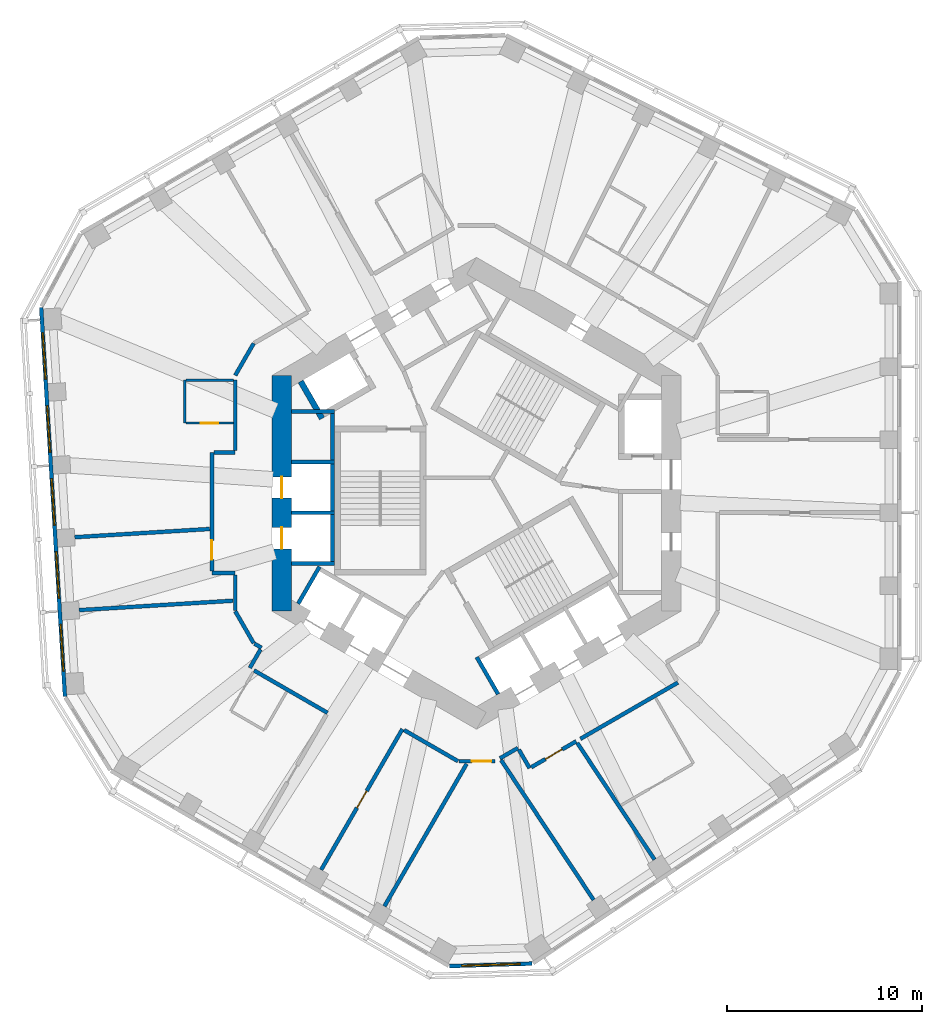
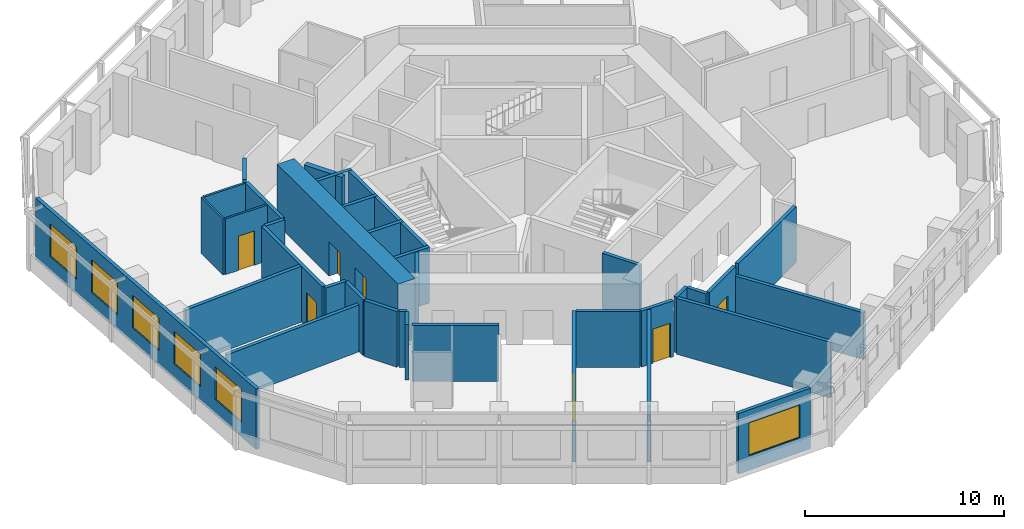
# One storey, part 4 of 11: 36 walls, 7 doors, 6 windows, 13 openings.
"""IFC4 building model written with IfcOpenShell, lengths in metres."""

from ifc_helpers import new_model, si_unit, direction, frame, frame_2d, origin, place, context, subcontext, project, spatial, rectangle, extrude, material, layer, layer_set, type_object, element, fill, save


model = new_model("IFC4")

# Units and contexts
model_context = context("Model", 3, precision=1e-05, world=origin(), true_north=direction((0.0, 1.0)))
body_context = subcontext(model_context, "Body", "Model", "MODEL_VIEW")
ifc_project = project(units=[si_unit("LENGTHUNIT", "METRE"), si_unit("AREAUNIT", "SQUARE_METRE"), si_unit("VOLUMEUNIT", "CUBIC_METRE"), si_unit("PLANEANGLEUNIT", "RADIAN"), si_unit("MASSUNIT", "GRAM", prefix="KILO")], contexts=[model_context])

# Site, building, storey
site_placement = place(None, origin())
site = spatial("IfcSite", under=ifc_project, at=site_placement, CompositionType="ELEMENT")
building_placement = place(site_placement, origin())
building = spatial("IfcBuilding", under=site, at=building_placement, Name="Vanh Sen Convention Tower", CompositionType="ELEMENT")
storey_placement = place(building_placement, frame((0.0, 0.0, 183.60009765625)))
storey = spatial("IfcBuildingStorey", under=building, at=storey_placement, Name="L45", CompositionType="ELEMENT", Elevation=183.60009765625)

# Walls
ifc_material_1 = material(Name="Moisture-resistant gypsum board on steel studs", Category="steel")
ifc_layer_1 = layer(ifc_material_1, 0.1201171875)
ifc_layer_set_1 = layer_set([ifc_layer_1], Name="Moisture-resistant gypsum board on steel studs")
wall_type_1 = type_object("IfcWallType", Name="Bathroom partition 120", PredefinedType="PARTITIONING", material=ifc_layer_set_1)
wall_1_placement = place(storey_placement, frame((-15.0, 3.6123046875, 0.0), z_axis=(0.0, 0.0, 1.0), x_axis=(0.0, 1.0, 0.0)))
element("IfcWall", 1, at=wall_1_placement, inside=storey, type_object=wall_type_1, Name="Bathroom partition 120", PredefinedType="PARTITIONING", context=body_context, shape_type="SweptSolid", body=[
    extrude(rectangle(XDim=2.199951171875, YDim=0.1201171875, at=frame_2d((1.10009765625, 0.0))), origin(), (0.0, 0.0, 1.0), 3.419921875),
])
wall_2_placement = place(storey_placement, frame((-14.93994140625, 5.812255859375, 0.0), z_axis=(0.0, 0.0, 1.0), x_axis=(1.0, 0.0, 0.0)))
element("IfcWall", 2, at=wall_2_placement, inside=storey, type_object=wall_type_1, Name="Bathroom partition 120", PredefinedType="PARTITIONING", context=body_context, shape_type="SweptSolid", body=[
    extrude(rectangle(XDim=2.43994140625, YDim=0.1201171875, at=frame_2d((1.219970703125, 0.0))), origin(), (0.0, 0.0, 1.0), 3.419921875),
])

# Wall, opening, door
wall_3_placement = place(storey_placement, frame((-12.5, 3.6123046875, 0.0), z_axis=(0.0, 0.0, 1.0), x_axis=(-1.0, 0.0, 0.0)))
wall_3 = element("IfcWall", 3, at=wall_3_placement, inside=storey, type_object=wall_type_1, Name="Bathroom partition 120", PredefinedType="PARTITIONING", context=body_context, shape_type="SweptSolid", body=[
    extrude(rectangle(XDim=2.43994140625, YDim=0.1201171875, at=frame_2d((1.219970703125, 0.0))), origin(), (0.0, 0.0, 1.0), 3.419921875),
])
opening_1_placement = place(wall_3_placement, frame((0.77001953125, 0.0, 0.0)))
opening_1 = element("IfcOpeningElement", 4, at=opening_1_placement, cuts=wall_3, Name="Opening D44110", PredefinedType="OPENING", context=body_context, shape_type="SweptSolid", body=[
    extrude(rectangle(XDim=0.89990234375, YDim=2.10009765625, at=frame_2d((0.449951171875, 1.050048828125))), frame((0.0, 0.070068359375, 0.0), z_axis=(0.0, -1.0, 0.0), x_axis=(1.0, 0.0, 0.0)), (0.0, 0.0, 1.0), 0.14013671875),
])
ifc_material_2 = material(Name="Laminate door in steel frame", Category="steel")
door_type_1 = type_object("IfcDoorType", Name="Room internal door 900", OperationType="SINGLE_SWING_LEFT", PredefinedType="DOOR", material=ifc_material_2)
door_1_placement = place(opening_1_placement, origin())
door_1 = element("IfcDoor", 5, at=door_1_placement, inside=storey, type_object=door_type_1, Name="Internal room door D44110", OperationType="SINGLE_SWING_LEFT", OverallHeight=2.10009765625, OverallWidth=0.89990234375, PredefinedType="DOOR", context=body_context, shape_type="SweptSolid", body=[
    extrude(rectangle(XDim=0.89990234375, YDim=2.10009765625, at=frame_2d((0.449951171875, 1.050048828125))), frame((0.0, 0.02490234375, 0.0), z_axis=(0.0, -1.0, 0.0), x_axis=(1.0, 0.0, 0.0)), (0.0, 0.0, 1.0), 0.050048828125),
])
fill(opening_1, door_1)

# Wall, openings, doors
ifc_material_3 = material(Name="Concrete C80/95", Category="concrete")
ifc_layer_2 = layer(ifc_material_3, 1.0)
ifc_layer_set_2 = layer_set([ifc_layer_2], Name="Concrete C80/95")
wall_type_2 = type_object("IfcWallType", Name="Core outer wall 1000 C80/95", PredefinedType="SHEAR", material=ifc_layer_set_2)
wall_4_placement = place(storey_placement, frame((-10.0, 6.062255859375, 0.0), z_axis=(0.0, 0.0, 1.0), x_axis=(0.0, -1.0, 0.0)))
wall_4 = element("IfcWall", 6, at=wall_4_placement, inside=storey, type_object=wall_type_2, Name="Core wall face W L45", PredefinedType="SHEAR", context=body_context, shape_type="SweptSolid", body=[
    extrude(rectangle(XDim=12.12451171875, YDim=1.0, at=frame_2d((6.062255859375, 0.0))), origin(), (0.0, 0.0, 1.0), 3.699951171875),
])
opening_2_placement = place(wall_4_placement, frame((5.212158203125, 0.0, 0.0)))
opening_2 = element("IfcOpeningElement", 7, at=opening_2_placement, cuts=wall_4, Name="Opening LD-HR1", PredefinedType="OPENING", context=body_context, shape_type="SweptSolid", body=[
    extrude(rectangle(XDim=1.10009765625, YDim=2.10009765625, at=frame_2d((0.550048828125, 1.050048828125))), frame((0.0, 0.510009765625, 0.0), z_axis=(0.0, -1.0, 0.0), x_axis=(1.0, 0.0, 0.0)), (0.0, 0.0, 1.0), 1.02001953125),
])
opening_3_placement = place(wall_4_placement, frame((7.812255859375, 0.0, 0.0)))
opening_3 = element("IfcOpeningElement", 8, at=opening_3_placement, cuts=wall_4, Name="Opening LD-HR2", PredefinedType="OPENING", context=body_context, shape_type="SweptSolid", body=[
    extrude(rectangle(XDim=1.10009765625, YDim=2.10009765625, at=frame_2d((0.550048828125, 1.050048828125))), frame((0.0, 0.510009765625, 0.0), z_axis=(0.0, -1.0, 0.0), x_axis=(1.0, 0.0, 0.0)), (0.0, 0.0, 1.0), 1.02001953125),
])
ifc_material_4 = material(Name="Stainless steel", Category="steel")
door_type_2 = type_object("IfcDoorType", Name="Lift landing door 1100", OperationType="DOUBLE_DOOR_SLIDING", PredefinedType="DOOR", material=ifc_material_4)
door_2_placement = place(opening_2_placement, origin())
door_2 = element("IfcDoor", 9, at=door_2_placement, inside=storey, type_object=door_type_2, Name="Lift HR1 landing door LD-HR1", OperationType="DOUBLE_DOOR_SLIDING", OverallHeight=2.10009765625, OverallWidth=1.10009765625, PredefinedType="DOOR", context=body_context, shape_type="SweptSolid", body=[
    extrude(rectangle(XDim=1.10009765625, YDim=2.10009765625, at=frame_2d((0.550048828125, 1.050048828125))), frame((0.0, 0.02490234375, 0.0), z_axis=(0.0, -1.0, 0.0), x_axis=(1.0, 0.0, 0.0)), (0.0, 0.0, 1.0), 0.050048828125),
])
fill(opening_2, door_2)
door_3_placement = place(opening_3_placement, origin())
door_3 = element("IfcDoor", 10, at=door_3_placement, inside=storey, type_object=door_type_2, Name="Lift HR2 landing door LD-HR2", OperationType="DOUBLE_DOOR_SLIDING", OverallHeight=2.10009765625, OverallWidth=1.10009765625, PredefinedType="DOOR", context=body_context, shape_type="SweptSolid", body=[
    extrude(rectangle(XDim=1.10009765625, YDim=2.10009765625, at=frame_2d((0.550048828125, 1.050048828125))), frame((0.0, 0.02490234375, 0.0), z_axis=(0.0, -1.0, 0.0), x_axis=(1.0, 0.0, 0.0)), (0.0, 0.0, 1.0), 0.050048828125),
])
fill(opening_3, door_3)

# Wall
ifc_material_5 = material(Name="Gypsum board on steel studs with mineral wool", Category="steel")
ifc_layer_3 = layer(ifc_material_5, 0.199951171875)
ifc_layer_set_3 = layer_set([ifc_layer_3], Name="Gypsum board on steel studs with mineral wool")
wall_type_3 = type_object("IfcWallType", Name="Corridor partition wall 200", PredefinedType="PARTITIONING", material=ifc_layer_set_3)
wall_5_placement = place(storey_placement, frame((-13.60107421875, -4.10107421875, 0.0), z_axis=(0.0, 0.0, 1.0), x_axis=(1.0, 0.0, 0.0)))
element("IfcWall", 11, at=wall_5_placement, inside=storey, type_object=wall_type_3, Name="Corridor partition wall 200", PredefinedType="PARTITIONING", context=body_context, shape_type="SweptSolid", body=[
    extrude(rectangle(XDim=1.201171875, YDim=0.199951171875, at=frame_2d((0.6005859375, 0.0))), origin(), (0.0, 0.0, 1.0), 3.419921875),
])

# Wall, opening, door
wall_6_placement = place(storey_placement, frame((-13.60107421875, 2.10107421875, 0.0), z_axis=(0.0, 0.0, 1.0), x_axis=(0.0, -1.0, 0.0)))
wall_6 = element("IfcWall", 12, at=wall_6_placement, inside=storey, type_object=wall_type_3, Name="Corridor partition wall 200", PredefinedType="PARTITIONING", context=body_context, shape_type="SweptSolid", body=[
    extrude(rectangle(XDim=6.10205078125, YDim=0.199951171875, at=frame_2d((3.051025390625, 0.0))), origin(), (0.0, 0.0, 1.0), 3.419921875),
])
opening_4_placement = place(wall_6_placement, frame((4.514892578125, 0.0, 0.0)))
opening_4 = element("IfcOpeningElement", 13, at=opening_4_placement, cuts=wall_6, Name="Opening D44111", PredefinedType="OPENING", context=body_context, shape_type="SweptSolid", body=[
    extrude(rectangle(XDim=1.0, YDim=2.10009765625, at=frame_2d((0.5, 1.050048828125))), frame((0.0, 0.10986328125, 0.0), z_axis=(0.0, -1.0, 0.0), x_axis=(1.0, 0.0, 0.0)), (0.0, 0.0, 1.0), 0.219970703125),
])
ifc_material_6 = material(Name="Glazed fire door in steel frame", Category="steel")
door_type_3 = type_object("IfcDoorType", Name="Tenant entrance door 1000", OperationType="SINGLE_SWING_LEFT", PredefinedType="DOOR", material=ifc_material_6)
door_4_placement = place(opening_4_placement, origin())
door_4 = element("IfcDoor", 14, at=door_4_placement, inside=storey, type_object=door_type_3, Name="Tenant suite entrance door D44111", OperationType="SINGLE_SWING_LEFT", OverallHeight=2.10009765625, OverallWidth=1.0, PredefinedType="DOOR", context=body_context, shape_type="SweptSolid", body=[
    extrude(rectangle(XDim=1.0, YDim=2.10009765625, at=frame_2d((0.5, 1.050048828125))), frame((0.0, 0.02490234375, 0.0), z_axis=(0.0, -1.0, 0.0), x_axis=(1.0, 0.0, 0.0)), (0.0, 0.0, 1.0), 0.050048828125),
])
fill(opening_4, door_4)

# Walls
wall_7_placement = place(storey_placement, frame((-12.39990234375, -6.062255859375, 0.0), z_axis=(0.0, 0.0, 1.0), x_axis=(0.500022797313, -0.86601224135, 0.0)))
element("IfcWall", 15, at=wall_7_placement, inside=storey, type_object=wall_type_3, Name="Corridor partition wall 200", PredefinedType="PARTITIONING", context=body_context, shape_type="SweptSolid", body=[
    extrude(rectangle(XDim=1.89990234375, YDim=0.199951171875, at=frame_2d((0.949951171875, 0.0))), origin(), (0.0, 0.0, 1.0), 3.419921875),
])
wall_8_placement = place(storey_placement, frame((-12.39990234375, -4.200927734375, 0.0), z_axis=(0.0, 0.0, 1.0), x_axis=(0.0, -1.0, 0.0)))
element("IfcWall", 16, at=wall_8_placement, inside=storey, type_object=wall_type_3, Name="Corridor partition wall 200", PredefinedType="PARTITIONING", context=body_context, shape_type="SweptSolid", body=[
    extrude(rectangle(XDim=1.8212890625, YDim=0.199951171875, at=frame_2d((0.91064453125, 0.0))), origin(), (0.0, 0.0, 1.0), 3.419921875),
])
wall_9_placement = place(storey_placement, frame((-12.39990234375, 2.10107421875, 0.0), z_axis=(0.0, 0.0, 1.0), x_axis=(-1.0, 0.0, 0.0)))
element("IfcWall", 17, at=wall_9_placement, inside=storey, type_object=wall_type_3, Name="Corridor partition wall 200", PredefinedType="PARTITIONING", context=body_context, shape_type="SweptSolid", body=[
    extrude(rectangle(XDim=1.10107421875, YDim=0.199951171875, at=frame_2d((0.550537109375, 0.0))), origin(), (0.0, 0.0, 1.0), 3.419921875),
])
wall_10_placement = place(storey_placement, frame((-12.39990234375, 5.812255859375, 0.0), z_axis=(0.0, 0.0, 1.0), x_axis=(0.0, -1.0, 0.0)))
element("IfcWall", 18, at=wall_10_placement, inside=storey, type_object=wall_type_3, Name="Corridor partition wall 200", PredefinedType="PARTITIONING", context=body_context, shape_type="SweptSolid", body=[
    extrude(rectangle(XDim=3.611328125, YDim=0.199951171875, at=frame_2d((1.8056640625, 0.0))), origin(), (0.0, 0.0, 1.0), 3.419921875),
])
wall_11_placement = place(storey_placement, frame((-11.449951171875, 7.70751953125, 0.0), z_axis=(0.0, 0.0, 1.0), x_axis=(-0.500022797313, -0.86601224135, 0.0)))
element("IfcWall", 19, at=wall_11_placement, inside=storey, type_object=wall_type_3, Name="Corridor partition wall 200", PredefinedType="PARTITIONING", context=body_context, shape_type="SweptSolid", body=[
    extrude(rectangle(XDim=1.89990234375, YDim=0.199951171875, at=frame_2d((0.949951171875, 0.0))), origin(), (0.0, 0.0, 1.0), 3.419921875),
])
wall_12_placement = place(storey_placement, frame((-11.4345703125, -9.103271484375, 0.0), z_axis=(0.0, 0.0, 1.0), x_axis=(0.866007399799, -0.500031182522, 0.0)))
element("IfcWall", 20, at=wall_12_placement, inside=storey, type_object=wall_type_3, Name="Corridor partition wall 200", PredefinedType="PARTITIONING", context=body_context, shape_type="SweptSolid", body=[
    extrude(rectangle(XDim=4.358154296875, YDim=0.199951171875, at=frame_2d((2.17919921875, 0.0))), origin(), (0.0, 0.0, 1.0), 3.419921875),
])
wall_13_placement = place(storey_placement, frame((-11.415283203125, -7.7275390625, 0.0), z_axis=(0.0, 0.0, 1.0), x_axis=(0.865915281873, -0.500190688257, 0.0)))
element("IfcWall", 21, at=wall_13_placement, inside=storey, type_object=wall_type_3, Name="Corridor partition wall 200", PredefinedType="PARTITIONING", context=body_context, shape_type="SweptSolid", body=[
    extrude(rectangle(XDim=0.421142578125, YDim=0.199951171875, at=frame_2d((0.21044921875, 0.0))), origin(), (0.0, 0.0, 1.0), 3.419921875),
])
wall_14_placement = place(storey_placement, frame((-11.1005859375, -8.02490234375, 0.0), z_axis=(0.0, 0.0, 1.0), x_axis=(-0.500074377092, -0.865982457891, 0.0)))
element("IfcWall", 22, at=wall_14_placement, inside=storey, type_object=wall_type_3, Name="Corridor partition wall 200", PredefinedType="PARTITIONING", context=body_context, shape_type="SweptSolid", body=[
    extrude(rectangle(XDim=1.100830078125, YDim=0.199951171875, at=frame_2d((0.55029296875, 0.0))), origin(), (0.0, 0.0, 1.0), 3.419921875),
])

# Wall, opening, door
wall_15_placement = place(storey_placement, frame((-7.983642578125, -19.3505859375, 0.0), z_axis=(0.0, 0.0, 1.0), x_axis=(0.500010139422, 0.866019549707, 0.0)))
wall_15 = element("IfcWall", 23, at=wall_15_placement, inside=storey, type_object=wall_type_3, Name="Corridor partition wall 200", PredefinedType="PARTITIONING", context=body_context, shape_type="SweptSolid", body=[
    extrude(rectangle(XDim=8.349853515625, YDim=0.199951171875, at=frame_2d((4.1748046875, 0.0))), origin(), (0.0, 0.0, 1.0), 3.419921875),
])
opening_5_placement = place(wall_15_placement, frame((3.675048828125, 0.0, 0.0)))
opening_5 = element("IfcOpeningElement", 24, at=opening_5_placement, cuts=wall_15, Name="Opening D44114", PredefinedType="OPENING", context=body_context, shape_type="SweptSolid", body=[
    extrude(rectangle(XDim=1.0, YDim=2.10009765625, at=frame_2d((0.5, 1.050048828125))), frame((0.0, 0.10986328125, 0.0), z_axis=(0.0, -1.0, 0.0), x_axis=(1.0, 0.0, 0.0)), (0.0, 0.0, 1.0), 0.219970703125),
])
door_5_placement = place(opening_5_placement, origin())
door_5 = element("IfcDoor", 25, at=door_5_placement, inside=storey, type_object=door_type_3, Name="Tenant suite entrance door D44114", OperationType="SINGLE_SWING_LEFT", OverallHeight=2.10009765625, OverallWidth=1.0, PredefinedType="DOOR", context=body_context, shape_type="SweptSolid", body=[
    extrude(rectangle(XDim=1.0, YDim=2.10009765625, at=frame_2d((0.5, 1.050048828125))), frame((0.0, 0.02490234375, 0.0), z_axis=(0.0, -1.0, 0.0), x_axis=(1.0, 0.0, 0.0)), (0.0, 0.0, 1.0), 0.050048828125),
])
fill(opening_5, door_5)

# Wall
wall_16_placement = place(storey_placement, frame((-3.721923828125, -12.16943359375, 0.0), z_axis=(0.0, 0.0, 1.0), x_axis=(0.866033163891, -0.499986558861, 0.0)))
element("IfcWall", 26, at=wall_16_placement, inside=storey, type_object=wall_type_3, Name="Corridor partition wall 200", PredefinedType="PARTITIONING", context=body_context, shape_type="SweptSolid", body=[
    extrude(rectangle(XDim=3.20068359375, YDim=0.199951171875, at=frame_2d((1.600341796875, 0.0))), origin(), (0.0, 0.0, 1.0), 3.419921875),
])

# Wall, opening, door
wall_17_placement = place(storey_placement, frame((-0.909912109375, -13.769775390625, 0.0), z_axis=(0.0, 0.0, 1.0), x_axis=(1.0, 0.0, 0.0)))
wall_17 = element("IfcWall", 27, at=wall_17_placement, inside=storey, type_object=wall_type_3, Name="Corridor partition wall 200", PredefinedType="PARTITIONING", context=body_context, shape_type="SweptSolid", body=[
    extrude(rectangle(XDim=1.85986328125, YDim=0.199951171875, at=frame_2d((0.929931640625, 0.0))), origin(), (0.0, 0.0, 1.0), 3.419921875),
])
opening_6_placement = place(wall_17_placement, frame((0.671630859375, 0.0, 0.0)))
opening_6 = element("IfcOpeningElement", 28, at=opening_6_placement, cuts=wall_17, Name="Opening D44115", PredefinedType="OPENING", context=body_context, shape_type="SweptSolid", body=[
    extrude(rectangle(XDim=1.0, YDim=2.10009765625, at=frame_2d((0.5, 1.050048828125))), frame((0.0, 0.10986328125, 0.0), z_axis=(0.0, -1.0, 0.0), x_axis=(1.0, 0.0, 0.0)), (0.0, 0.0, 1.0), 0.219970703125),
])
door_6_placement = place(opening_6_placement, origin())
door_6 = element("IfcDoor", 29, at=door_6_placement, inside=storey, type_object=door_type_3, Name="Tenant suite entrance door D44115", OperationType="SINGLE_SWING_LEFT", OverallHeight=2.10009765625, OverallWidth=1.0, PredefinedType="DOOR", context=body_context, shape_type="SweptSolid", body=[
    extrude(rectangle(XDim=1.0, YDim=2.10009765625, at=frame_2d((0.5, 1.050048828125))), frame((0.0, 0.02490234375, 0.0), z_axis=(0.0, -1.0, 0.0), x_axis=(1.0, 0.0, 0.0)), (0.0, 0.0, 1.0), 0.050048828125),
])
fill(opening_6, door_6)

# Walls
wall_18_placement = place(storey_placement, frame((1.20361328125, -13.623291015625, 0.0), z_axis=(0.0, 0.0, 1.0), x_axis=(0.866040989419, 0.499973003918, 0.0)))
element("IfcWall", 30, at=wall_18_placement, inside=storey, type_object=wall_type_3, Name="Corridor partition wall 200", PredefinedType="PARTITIONING", context=body_context, shape_type="SweptSolid", body=[
    extrude(rectangle(XDim=1.068359375, YDim=0.199951171875, at=frame_2d((0.5341796875, 0.0))), origin(), (0.0, 0.0, 1.0), 3.419921875),
])
wall_19_placement = place(storey_placement, frame((2.1787109375, -13.17578125, 0.0), z_axis=(0.0, 0.0, 1.0), x_axis=(0.499978356969, -0.866037899034, 0.0)))
element("IfcWall", 31, at=wall_19_placement, inside=storey, type_object=wall_type_3, Name="Corridor partition wall 200", PredefinedType="PARTITIONING", context=body_context, shape_type="SweptSolid", body=[
    extrude(rectangle(XDim=1.10107421875, YDim=0.199951171875, at=frame_2d((0.550537109375, 0.0))), origin(), (0.0, 0.0, 1.0), 3.419921875),
])

# Wall, opening, door
wall_20_placement = place(storey_placement, frame((2.81591796875, -14.079345703125, 0.0), z_axis=(0.0, 0.0, 1.0), x_axis=(0.866008705299, 0.50002892151, 0.0)))
wall_20 = element("IfcWall", 32, at=wall_20_placement, inside=storey, type_object=wall_type_3, Name="Corridor partition wall 200", PredefinedType="PARTITIONING", context=body_context, shape_type="SweptSolid", body=[
    extrude(rectangle(XDim=2.666259765625, YDim=0.199951171875, at=frame_2d((1.3330078125, 0.0))), origin(), (0.0, 0.0, 1.0), 3.419921875),
])
opening_7_placement = place(wall_20_placement, frame((0.833251953125, 0.0, 0.0)))
opening_7 = element("IfcOpeningElement", 33, at=opening_7_placement, cuts=wall_20, Name="Opening D44116", PredefinedType="OPENING", context=body_context, shape_type="SweptSolid", body=[
    extrude(rectangle(XDim=1.0, YDim=2.10009765625, at=frame_2d((0.5, 1.050048828125))), frame((0.0, 0.10986328125, 0.0), z_axis=(0.0, -1.0, 0.0), x_axis=(1.0, 0.0, 0.0)), (0.0, 0.0, 1.0), 0.219970703125),
])
door_7_placement = place(opening_7_placement, origin())
door_7 = element("IfcDoor", 34, at=door_7_placement, inside=storey, type_object=door_type_3, Name="Tenant suite entrance door D44116", OperationType="SINGLE_SWING_LEFT", OverallHeight=2.10009765625, OverallWidth=1.0, PredefinedType="DOOR", context=body_context, shape_type="SweptSolid", body=[
    extrude(rectangle(XDim=1.0, YDim=2.10009765625, at=frame_2d((0.5, 1.050048828125))), frame((0.0, 0.02490234375, 0.0), z_axis=(0.0, -1.0, 0.0), x_axis=(1.0, 0.0, 0.0)), (0.0, 0.0, 1.0), 0.050048828125),
])
fill(opening_7, door_7)

# Wall
wall_21_placement = place(storey_placement, frame((5.341552734375, -12.62109375, 0.0), z_axis=(0.0, 0.0, 1.0), x_axis=(0.866024665123, 0.500001279396, 0.0)))
element("IfcWall", 35, at=wall_21_placement, inside=storey, type_object=wall_type_3, Name="Corridor partition wall 200", PredefinedType="PARTITIONING", context=body_context, shape_type="SweptSolid", body=[
    extrude(rectangle(XDim=5.78564453125, YDim=0.199951171875, at=frame_2d((2.892822265625, 0.0))), origin(), (0.0, 0.0, 1.0), 3.419921875),
])

# Wall, openings, windows
ifc_material_7 = material(Name="Insulated lightweight infill wall")
ifc_layer_4 = layer(ifc_material_7, 0.199951171875)
ifc_layer_set_4 = layer_set([ifc_layer_4], Name="Insulated lightweight infill wall")
wall_type_4 = type_object("IfcWallType", Name="External wall 200", PredefinedType="STANDARD", material=ifc_layer_set_4)
wall_22_placement = place(storey_placement, frame((-22.375, 9.55712890625, 0.0), z_axis=(0.0, 0.0, 1.0), x_axis=(0.061036015339, -0.998135564356, 0.0)))
wall_22 = element("IfcWall", 36, at=wall_22_placement, inside=storey, type_object=wall_type_4, Name="External wall W L45", PredefinedType="STANDARD", context=body_context, shape_type="SweptSolid", body=[
    extrude(rectangle(XDim=20.043701171875, YDim=0.199951171875, at=frame_2d((10.02197265625, 0.0))), origin(), (0.0, 0.0, 1.0), 3.699951171875),
])
opening_8_placement = place(wall_22_placement, frame((1.312744140625, 0.0, 0.89990234375)))
opening_8 = element("IfcOpeningElement", 37, at=opening_8_placement, cuts=wall_22, Name="Opening WO1-W1", PredefinedType="OPENING", context=body_context, shape_type="SweptSolid", body=[
    extrude(rectangle(XDim=2.39990234375, YDim=2.0, at=frame_2d((1.199951171875, 1.0))), frame((0.0, 0.10986328125, 0.0), z_axis=(0.0, -1.0, 0.0), x_axis=(1.0, 0.0, 0.0)), (0.0, 0.0, 1.0), 0.219970703125),
])
opening_9_placement = place(wall_22_placement, frame((5.06689453125, 0.0, 0.89990234375)))
opening_9 = element("IfcOpeningElement", 38, at=opening_9_placement, cuts=wall_22, Name="Opening WO1-W2", PredefinedType="OPENING", context=body_context, shape_type="SweptSolid", body=[
    extrude(rectangle(XDim=2.39990234375, YDim=2.0, at=frame_2d((1.199951171875, 1.0))), frame((0.0, 0.10986328125, 0.0), z_axis=(0.0, -1.0, 0.0), x_axis=(1.0, 0.0, 0.0)), (0.0, 0.0, 1.0), 0.219970703125),
])
opening_10_placement = place(wall_22_placement, frame((8.821044921875, 0.0, 0.89990234375)))
opening_10 = element("IfcOpeningElement", 39, at=opening_10_placement, cuts=wall_22, Name="Opening WO1-W3", PredefinedType="OPENING", context=body_context, shape_type="SweptSolid", body=[
    extrude(rectangle(XDim=2.39990234375, YDim=2.0, at=frame_2d((1.199951171875, 1.0))), frame((0.0, 0.10986328125, 0.0), z_axis=(0.0, -1.0, 0.0), x_axis=(1.0, 0.0, 0.0)), (0.0, 0.0, 1.0), 0.219970703125),
])
opening_11_placement = place(wall_22_placement, frame((12.5751953125, 0.0, 0.89990234375)))
opening_11 = element("IfcOpeningElement", 40, at=opening_11_placement, cuts=wall_22, Name="Opening WO1-W4", PredefinedType="OPENING", context=body_context, shape_type="SweptSolid", body=[
    extrude(rectangle(XDim=2.39990234375, YDim=2.0, at=frame_2d((1.199951171875, 1.0))), frame((0.0, 0.10986328125, 0.0), z_axis=(0.0, -1.0, 0.0), x_axis=(1.0, 0.0, 0.0)), (0.0, 0.0, 1.0), 0.219970703125),
])
opening_12_placement = place(wall_22_placement, frame((16.329345703125, 0.0, 0.89990234375)))
opening_12 = element("IfcOpeningElement", 41, at=opening_12_placement, cuts=wall_22, Name="Opening WO1-W5", PredefinedType="OPENING", context=body_context, shape_type="SweptSolid", body=[
    extrude(rectangle(XDim=2.39990234375, YDim=2.0, at=frame_2d((1.199951171875, 1.0))), frame((0.0, 0.10986328125, 0.0), z_axis=(0.0, -1.0, 0.0), x_axis=(1.0, 0.0, 0.0)), (0.0, 0.0, 1.0), 0.219970703125),
])
ifc_material_8 = material(Name="Aluminium frame with clear low-emissivity glass", Category="aluminium")
window_type_1 = type_object("IfcWindowType", Name="Office window 2400 x 2000", PartitioningType="SINGLE_PANEL", PredefinedType="WINDOW", material=ifc_material_8)
window_1_placement = place(opening_8_placement, origin())
window_1 = element("IfcWindow", 42, at=window_1_placement, inside=storey, type_object=window_type_1, Name="Window WO1-W1", OverallHeight=2.0, OverallWidth=2.39990234375, PartitioningType="SINGLE_PANEL", PredefinedType="WINDOW", context=body_context, shape_type="SweptSolid", body=[
    extrude(rectangle(XDim=2.39990234375, YDim=2.0, at=frame_2d((1.199951171875, 1.0))), frame((0.0, 0.030029296875, 0.0), z_axis=(0.0, -1.0, 0.0), x_axis=(1.0, 0.0, 0.0)), (0.0, 0.0, 1.0), 0.06005859375),
])
fill(opening_8, window_1)
window_2_placement = place(opening_9_placement, origin())
window_2 = element("IfcWindow", 43, at=window_2_placement, inside=storey, type_object=window_type_1, Name="Window WO1-W2", OverallHeight=2.0, OverallWidth=2.39990234375, PartitioningType="SINGLE_PANEL", PredefinedType="WINDOW", context=body_context, shape_type="SweptSolid", body=[
    extrude(rectangle(XDim=2.39990234375, YDim=2.0, at=frame_2d((1.199951171875, 1.0))), frame((0.0, 0.030029296875, 0.0), z_axis=(0.0, -1.0, 0.0), x_axis=(1.0, 0.0, 0.0)), (0.0, 0.0, 1.0), 0.06005859375),
])
fill(opening_9, window_2)
window_3_placement = place(opening_10_placement, origin())
window_3 = element("IfcWindow", 44, at=window_3_placement, inside=storey, type_object=window_type_1, Name="Window WO1-W3", OverallHeight=2.0, OverallWidth=2.39990234375, PartitioningType="SINGLE_PANEL", PredefinedType="WINDOW", context=body_context, shape_type="SweptSolid", body=[
    extrude(rectangle(XDim=2.39990234375, YDim=2.0, at=frame_2d((1.199951171875, 1.0))), frame((0.0, 0.030029296875, 0.0), z_axis=(0.0, -1.0, 0.0), x_axis=(1.0, 0.0, 0.0)), (0.0, 0.0, 1.0), 0.06005859375),
])
fill(opening_10, window_3)
window_4_placement = place(opening_11_placement, origin())
window_4 = element("IfcWindow", 45, at=window_4_placement, inside=storey, type_object=window_type_1, Name="Window WO1-W4", OverallHeight=2.0, OverallWidth=2.39990234375, PartitioningType="SINGLE_PANEL", PredefinedType="WINDOW", context=body_context, shape_type="SweptSolid", body=[
    extrude(rectangle(XDim=2.39990234375, YDim=2.0, at=frame_2d((1.199951171875, 1.0))), frame((0.0, 0.030029296875, 0.0), z_axis=(0.0, -1.0, 0.0), x_axis=(1.0, 0.0, 0.0)), (0.0, 0.0, 1.0), 0.06005859375),
])
fill(opening_11, window_4)
window_5_placement = place(opening_12_placement, origin())
window_5 = element("IfcWindow", 46, at=window_5_placement, inside=storey, type_object=window_type_1, Name="Window WO1-W5", OverallHeight=2.0, OverallWidth=2.39990234375, PartitioningType="SINGLE_PANEL", PredefinedType="WINDOW", context=body_context, shape_type="SweptSolid", body=[
    extrude(rectangle(XDim=2.39990234375, YDim=2.0, at=frame_2d((1.199951171875, 1.0))), frame((0.0, 0.030029296875, 0.0), z_axis=(0.0, -1.0, 0.0), x_axis=(1.0, 0.0, 0.0)), (0.0, 0.0, 1.0), 0.06005859375),
])
fill(opening_12, window_5)

# Wall, opening, window
wall_23_placement = place(storey_placement, frame((-1.377685546875, -24.302001953125, 0.0), z_axis=(0.0, 0.0, 1.0), x_axis=(0.999533857267, 0.030529791629, 0.0)))
wall_23 = element("IfcWall", 47, at=wall_23_placement, inside=storey, type_object=wall_type_4, Name="External wall CH5 L45", PredefinedType="STANDARD", context=body_context, shape_type="SweptSolid", body=[
    extrude(rectangle(XDim=4.23828125, YDim=0.199951171875, at=frame_2d((2.119140625, 0.0))), origin(), (0.0, 0.0, 1.0), 3.699951171875),
])
opening_13_placement = place(wall_23_placement, frame((0.619140625, 0.0, 0.89990234375)))
opening_13 = element("IfcOpeningElement", 48, at=opening_13_placement, cuts=wall_23, Name="Opening WO2-CH51", PredefinedType="OPENING", context=body_context, shape_type="SweptSolid", body=[
    extrude(rectangle(XDim=3.0, YDim=2.0, at=frame_2d((1.5, 1.0))), frame((0.0, 0.10986328125, 0.0), z_axis=(0.0, -1.0, 0.0), x_axis=(1.0, 0.0, 0.0)), (0.0, 0.0, 1.0), 0.219970703125),
])
window_type_2 = type_object("IfcWindowType", Name="Office window 3000 x 2000", PartitioningType="SINGLE_PANEL", PredefinedType="WINDOW", material=ifc_material_8)
window_6_placement = place(opening_13_placement, origin())
window_6 = element("IfcWindow", 49, at=window_6_placement, inside=storey, type_object=window_type_2, Name="Window WO2-CH51", OverallHeight=2.0, OverallWidth=3.0, PartitioningType="SINGLE_PANEL", PredefinedType="WINDOW", context=body_context, shape_type="SweptSolid", body=[
    extrude(rectangle(XDim=3.0, YDim=2.0, at=frame_2d((1.5, 1.0))), frame((0.0, 0.030029296875, 0.0), z_axis=(0.0, -1.0, 0.0), x_axis=(1.0, 0.0, 0.0)), (0.0, 0.0, 1.0), 0.06005859375),
])
fill(opening_13, window_6)

# Walls
ifc_material_9 = material(Name="Concrete C60/75", Category="concrete")
ifc_layer_5 = layer(ifc_material_9, 0.300048828125)
ifc_layer_set_5 = layer_set([ifc_layer_5], Name="Concrete C60/75")
wall_type_5 = type_object("IfcWallType", Name="Fire-fighting lift shaft wall 300", PredefinedType="SHEAR", material=ifc_layer_set_5)
wall_24_placement = place(storey_placement, frame((-7.936767578125, 3.846923828125, 0.0), z_axis=(0.0, 0.0, 1.0), x_axis=(-0.50002983664, 0.866008176907, 0.0)))
element("IfcWall", 50, at=wall_24_placement, inside=storey, type_object=wall_type_5, Name="Fire-fighting lift shaft wall L45", PredefinedType="SHEAR", context=body_context, shape_type="SweptSolid", body=[
    extrude(rectangle(XDim=2.199951171875, YDim=0.300048828125, at=frame_2d((1.10009765625, 0.0))), origin(), (0.0, 0.0, 1.0), 3.419921875),
])
ifc_material_10 = material(Name="Concrete C40/50", Category="concrete")
ifc_layer_6 = layer(ifc_material_10, 0.199951171875)
ifc_layer_set_6 = layer_set([ifc_layer_6], Name="Concrete C40/50")
wall_type_6 = type_object("IfcWallType", Name="Lift shaft wall 200", PredefinedType="PARTITIONING", material=ifc_layer_set_6)
wall_25_placement = place(storey_placement, frame((-7.39990234375, 4.300048828125, 0.0), z_axis=(0.0, 0.0, 1.0), x_axis=(0.0, -1.0, 0.0)))
element("IfcWall", 51, at=wall_25_placement, inside=storey, type_object=wall_type_6, Name="Lift shaft wall L45", PredefinedType="PARTITIONING", context=body_context, shape_type="SweptSolid", body=[
    extrude(rectangle(XDim=8.0, YDim=0.199951171875, at=frame_2d((4.0, 0.0))), origin(), (0.0, 0.0, 1.0), 3.419921875),
])
for number, where, z_axis, x_axis, name in (
    (52, (-7.300048828125, 4.199951171875, 0.0), (0.0, 0.0, 1.0), (-1.0, 0.0, 0.0), "Lift shaft wall L45"),
    (53, (-7.300048828125, 1.60009765625, 0.0), (0.0, 0.0, 1.0), (-1.0, 0.0, 0.0), "Lift shaft wall L45"),
    (54, (-7.300048828125, -1.0, 0.0), (0.0, 0.0, 1.0), (-1.0, 0.0, 0.0), "Lift shaft wall L45"),
    (55, (-7.300048828125, -3.60009765625, 0.0), (0.0, 0.0, 1.0), (-1.0, 0.0, 0.0), "Lift shaft wall L45"),
    (56, (-8.066650390625, -3.77197265625, 0.0), (0.0, 0.0, 1.0), (-0.50002983664, -0.866008176907, 0.0), "Lift shaft wall L45"),
    (57, (0.0126953125, -8.422119140625, 0.0), (0.0, 0.0, 1.0), (0.500077893725, -0.86598042715, 0.0), "Lift shaft wall L45"),
):
    element("IfcWall", number, at=place(storey_placement, frame(where, z_axis=z_axis, x_axis=x_axis)), inside=storey, type_object=wall_type_6, Name=name, PredefinedType="PARTITIONING", context=body_context, shape_type="SweptSolid", body=[
        extrude(rectangle(XDim=2.199951171875, YDim=0.199951171875, at=frame_2d((1.10009765625, 0.0))), origin(), (0.0, 0.0, 1.0), 3.419921875),
    ])
ifc_layer_7 = layer(ifc_material_5, 0.199951171875)
ifc_layer_set_7 = layer_set([ifc_layer_7], Name="Gypsum board on steel studs with mineral wool")
wall_type_7 = type_object("IfcWallType", Name="Tenant suite wall 200", PredefinedType="PARTITIONING", material=ifc_layer_set_7)
wall_26_placement = place(storey_placement, frame((-20.650634765625, -2.2578125, 0.0), z_axis=(0.0, 0.0, 1.0), x_axis=(0.998133960965, 0.061062230286, 0.0)))
element("IfcWall", 58, at=wall_26_placement, inside=storey, type_object=wall_type_7, Name="Tenant suite wall 200", PredefinedType="PARTITIONING", context=body_context, shape_type="SweptSolid", body=[
    extrude(rectangle(XDim=6.952880859375, YDim=0.199951171875, at=frame_2d((3.4765625, 0.0))), origin(), (0.0, 0.0, 1.0), 3.419921875),
])
wall_27_placement = place(storey_placement, frame((-20.42138671875, -6.0048828125, 0.0), z_axis=(0.0, 0.0, 1.0), x_axis=(0.998134865741, 0.061047438866, 0.0)))
element("IfcWall", 59, at=wall_27_placement, inside=storey, type_object=wall_type_7, Name="Tenant suite wall 200", PredefinedType="PARTITIONING", context=body_context, shape_type="SweptSolid", body=[
    extrude(rectangle(XDim=7.926513671875, YDim=0.199951171875, at=frame_2d((3.96337890625, 0.0))), origin(), (0.0, 0.0, 1.0), 2.869873046875),
])
wall_28_placement = place(storey_placement, frame((-4.732421875, -21.227783203125, 0.0), z_axis=(0.0, 0.0, 1.0), x_axis=(0.500000843414, 0.866024916838, 0.0)))
element("IfcWall", 60, at=wall_28_placement, inside=storey, type_object=wall_type_7, Name="Tenant suite wall 200", PredefinedType="PARTITIONING", context=body_context, shape_type="SweptSolid", body=[
    extrude(rectangle(XDim=8.45166015625, YDim=0.199951171875, at=frame_2d((4.225830078125, 0.0))), origin(), (0.0, 0.0, 1.0), 3.419921875),
])
wall_29_placement = place(storey_placement, frame((6.01953125, -20.899169921875, 0.0), z_axis=(0.0, 0.0, 1.0), x_axis=(-0.551943990108, 0.833881185651, 0.0)))
element("IfcWall", 61, at=wall_29_placement, inside=storey, type_object=wall_type_7, Name="Tenant suite wall 200", PredefinedType="PARTITIONING", context=body_context, shape_type="SweptSolid", body=[
    extrude(rectangle(XDim=8.615234375, YDim=0.199951171875, at=frame_2d((4.3076171875, 0.0))), origin(), (0.0, 0.0, 1.0), 3.419921875),
])
wall_30_placement = place(storey_placement, frame((9.14990234375, -18.8271484375, 0.0), z_axis=(0.0, 0.0, 1.0), x_axis=(-0.551939801345, 0.833883958169, 0.0)))
element("IfcWall", 62, at=wall_30_placement, inside=storey, type_object=wall_type_7, Name="Tenant suite wall 200", PredefinedType="PARTITIONING", context=body_context, shape_type="SweptSolid", body=[
    extrude(rectangle(XDim=7.1923828125, YDim=0.199951171875, at=frame_2d((3.59619140625, 0.0))), origin(), (0.0, 0.0, 1.0), 2.869873046875),
])

save(model, "model.ifc")
